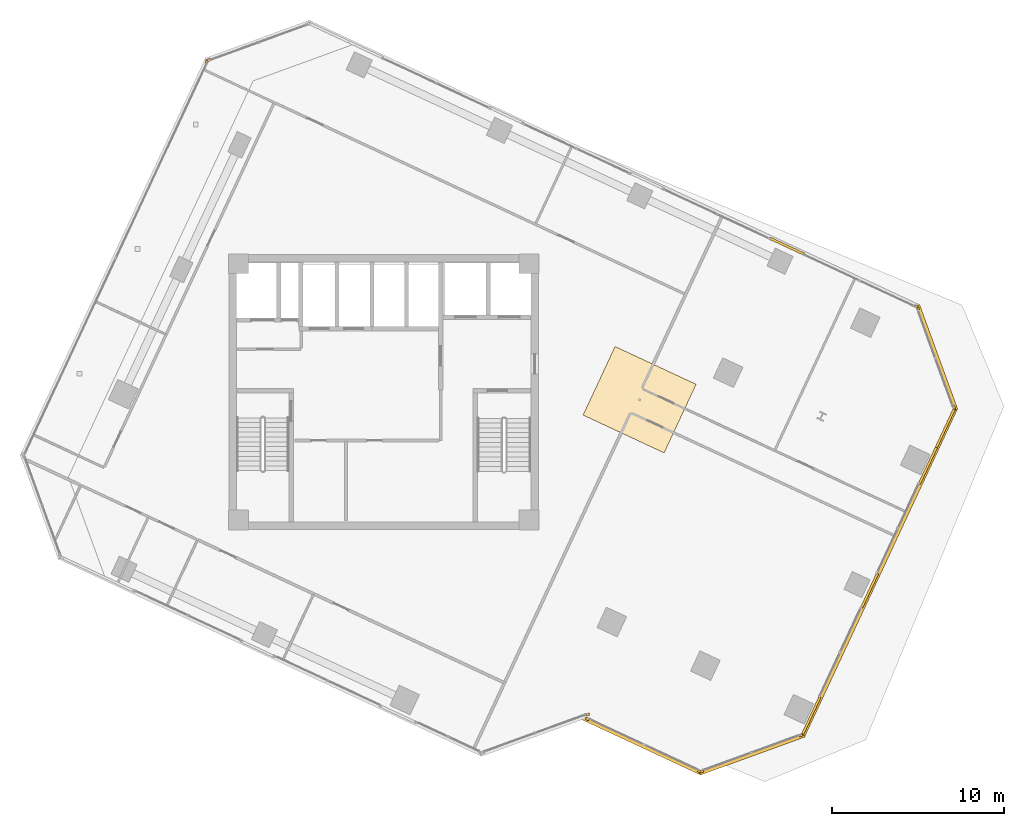
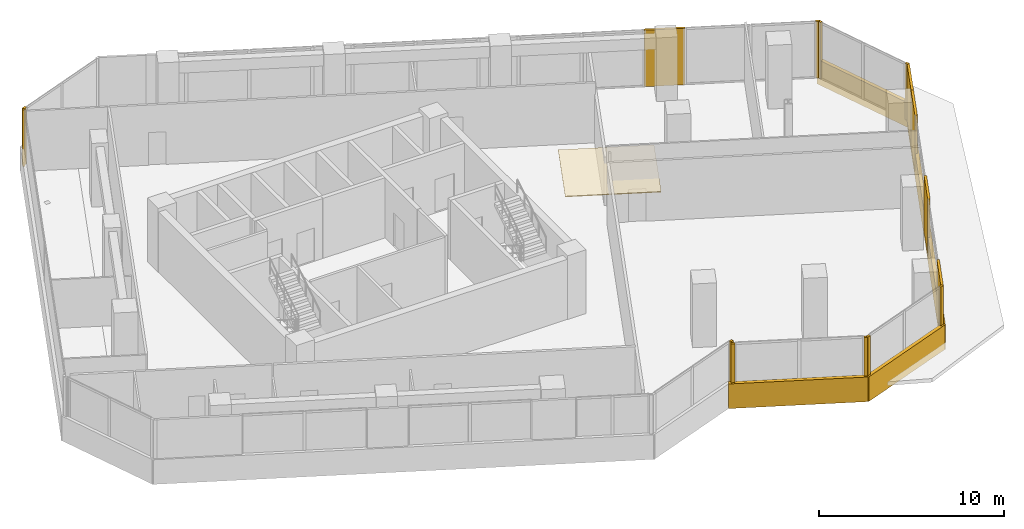
# One storey, part 22 of 23: 20 coverings.
"""IFC4 building model written with IfcOpenShell, lengths in metres."""

from ifc_helpers import new_model, si_unit, direction, frame, origin, origin_2d, place, context, subcontext, project, spatial, polyline, rectangle, outline, extrude, source, transform, mapped, material, layer, layer_set, type_object, element, save


model = new_model("IFC4")

# Units and contexts
model_context = context("Model", 3, precision=1e-05, world=origin(), true_north=direction((0.0, 1.0)))
body_context = subcontext(model_context, "Body", "Model", "MODEL_VIEW")
ifc_project = project(units=[si_unit("LENGTHUNIT", "METRE"), si_unit("AREAUNIT", "SQUARE_METRE"), si_unit("VOLUMEUNIT", "CUBIC_METRE"), si_unit("PLANEANGLEUNIT", "RADIAN"), si_unit("MASSUNIT", "GRAM", prefix="KILO")], contexts=[model_context])

# Site, building, storey
site_placement = place(None, origin())
site = spatial("IfcSite", under=ifc_project, at=site_placement, CompositionType="ELEMENT")
building_placement = place(site_placement, origin())
building = spatial("IfcBuilding", under=site, at=building_placement, Name="Torre Montelarca", CompositionType="ELEMENT")
storey_placement = place(building_placement, frame((0.0, 0.0, 154.0)))
storey = spatial("IfcBuildingStorey", under=building, at=storey_placement, Name="L34", CompositionType="ELEMENT", Elevation=154.0)

# Coverings
ifc_material_1 = material(Name="Micro-perforated walnut timber acoustic slat", Category="wood")
ifc_layer_1 = layer(ifc_material_1, 0.050048828125, Name="Micro-perforated walnut timber acoustic slat", Category="wood")
ifc_layer_set_1 = layer_set([ifc_layer_1], Name="Micro-perforated walnut timber acoustic slat")
covering_type_1 = type_object("IfcCoveringType", Name="COV-CEIL-WD2", PredefinedType="CEILING", material=ifc_layer_set_1)
covering_1_placement = place(storey_placement, frame((0.0, 0.0, 2.719970703125)))
element("IfcCovering", 1, at=covering_1_placement, inside=storey, type_object=covering_type_1, Name="L34 Acoustic Suspended Ceiling 01", PredefinedType="CEILING", context=body_context, shape_type="SweptSolid", body=[
    extrude(outline(polyline([(29.589599609375, 30.6552734375), (34.302490234375, 28.45751953125), (36.161865234375, 32.4453125), (31.44921875, 34.642822265625), (29.589599609375, 30.6552734375)])), origin(), (0.0, 0.0, 1.0), 0.050048828125),
])
ifc_material_2 = material(Name="Bush-hammered warm white precast concrete C45/55", Category="concrete")
ifc_layer_2 = layer(ifc_material_2, 0.139892578125, Name="Bush-hammered warm white precast concrete C45/55", Category="concrete")
ifc_layer_set_2 = layer_set([ifc_layer_2], Name="Bush-hammered warm white precast concrete C45/55")
covering_type_2 = type_object("IfcCoveringType", Name="COV-TRAY-CLAD", PredefinedType="CLADDING", material=ifc_layer_set_2)
shared_shape_1 = source(origin(), body_context, "Body", "SweptSolid", [
    extrude(rectangle(XDim=6.48388671875, YDim=0.219970703125, at=origin_2d()), origin(), (0.0, 0.0, 1.0), 1.6201171875),
])
for number, where, z_axis, x_axis, name in (
    (2, (39.402099609375, 10.931396484375, -0.449951171875), (0.0, 0.0, 1.0), (0.939693217722, 0.342018503252, 0.0), "L34 Architectural White Spandrel Tray Band TRYBOT-05"),
    (3, (50.160888671875, 34.00390625, -0.449951171875), (0.0, 0.0, 1.0), (-0.34202342347, 0.939691426905, 0.0), "L34 Architectural White Spandrel Tray Band TRYBOT-07"),
):
    element("IfcCovering", number, at=place(storey_placement, frame(where, z_axis=z_axis, x_axis=x_axis)), inside=storey, type_object=covering_type_2, Name=name, PredefinedType="CLADDING", context=body_context, shape_type="MappedRepresentation", body=[
        mapped(shared_shape_1, transform((0.0, 0.0, 0.0), scale=1.0)),
    ])
shared_shape_2 = source(origin(), body_context, "Body", "SweptSolid", [
    extrude(rectangle(XDim=21.1201171875, YDim=0.219970703125, at=origin_2d()), origin(), (0.0, 0.0, 1.0), 1.6201171875),
])
covering_2_placement = place(storey_placement, frame((46.812744140625, 21.5205078125, -0.449951171875), z_axis=(0.0, 0.0, 1.0), x_axis=(0.422618261741, 0.906307787037, 0.0)))
element("IfcCovering", 4, at=covering_2_placement, inside=storey, type_object=covering_type_2, Name="L34 Architectural White Spandrel Tray Band TRYBOT-06", PredefinedType="CLADDING", context=body_context, shape_type="MappedRepresentation", body=[
    mapped(shared_shape_2, transform((0.0, 0.0, 0.0), scale=1.0)),
])
shared_shape_3 = source(origin(), body_context, "Body", "SweptSolid", [
    extrude(rectangle(XDim=0.199951171875, YDim=0.139892578125, at=origin_2d()), origin(), (0.0, 0.0, 1.0), 3.719970703125),
])
for number, where, z_axis, x_axis, name in (
    (5, (29.873291015625, 13.24609375, 0.0), (0.0, 0.0, 1.0), (0.939695008514, 0.342013583025, 0.0), "L34 Architectural Column Pier Cladding E02-2"),
    (6, (29.837158203125, 12.985107421875, 0.0), (0.0, 0.0, 1.0), (0.906309262247, -0.422615098127, 0.0), "L34 Architectural Column Pier Cladding E04-1"),
    (7, (36.355224609375, 9.945556640625, 0.0), (0.0, 0.0, 1.0), (0.906309262247, -0.422615098127, 0.0), "L34 Architectural Column Pier Cladding E04-2"),
    (8, (36.50048828125, 9.939208984375, 0.0), (0.0, 0.0, 1.0), (0.939695605439, 0.342011942948, 0.0), "L34 Architectural Column Pier Cladding E05-1"),
    (9, (42.2626953125, 12.03662109375, 0.0), (0.0, 0.0, 1.0), (0.939695605439, 0.342011942948, 0.0), "L34 Architectural Column Pier Cladding E05-2"),
    (10, (51.1533203125, 31.102294921875, 0.0), (0.0, 0.0, 1.0), (-0.342016863178, 0.939693814656, 0.0), "L34 Architectural Column Pier Cladding E07-1"),
    (11, (49.055908203125, 36.864501953125, 0.0), (0.0, 0.0, 1.0), (-0.342016863178, 0.939693814656, 0.0), "L34 Architectural Column Pier Cladding E07-2"),
    (12, (48.9580078125, 36.9716796875, 0.0), (0.0, 0.0, 1.0), (-0.906307787037, 0.422618261741, 0.0), "L34 Architectural Column Pier Cladding E08-1"),
    (13, (7.82373046875, 51.30712890625, 0.0), (0.0, 0.0, 1.0), (-0.939693814656, -0.342016863178, 0.0), "L34 Architectural Column Pier Cladding E09-2"),
    (14, (7.716796875, 51.208984375, 0.0), (0.0, 0.0, 1.0), (-0.422618261741, -0.906307787037, 0.0), "L34 Architectural Column Pier Cladding E10-1"),
):
    element("IfcCovering", number, at=place(storey_placement, frame(where, z_axis=z_axis, x_axis=x_axis)), inside=storey, type_object=covering_type_2, Name=name, PredefinedType="CLADDING", context=body_context, shape_type="MappedRepresentation", body=[
        mapped(shared_shape_3, transform((0.0, 0.0, 0.0), scale=1.0)),
    ])
shared_shape_4 = source(origin(), body_context, "Body", "SweptSolid", [
    extrude(rectangle(XDim=2.360107421875, YDim=0.139892578125, at=origin_2d()), origin(), (0.0, 0.0, 1.0), 3.719970703125),
])
covering_3_placement = place(storey_placement, frame((49.632080078125, 27.708740234375, 0.0), z_axis=(0.0, 0.0, 1.0), x_axis=(0.422616679935, 0.906308524643, 0.0)))
element("IfcCovering", 15, at=covering_3_placement, inside=storey, type_object=covering_type_2, Name="L34 Architectural Column Pier Cladding E06-3", PredefinedType="CLADDING", context=body_context, shape_type="MappedRepresentation", body=[
    mapped(shared_shape_4, transform((0.0, 0.0, 0.0), scale=1.0)),
])
shared_shape_5 = source(origin(), body_context, "Body", "SweptSolid", [
    extrude(rectangle(XDim=2.60400390625, YDim=0.139892578125, at=origin_2d()), origin(), (0.0, 0.0, 1.0), 3.719970703125),
])
covering_4_placement = place(storey_placement, frame((50.638916015625, 29.86767578125, 0.0), z_axis=(0.0, 0.0, 1.0), x_axis=(0.422616679935, 0.906308524643, 0.0)))
element("IfcCovering", 16, at=covering_4_placement, inside=storey, type_object=covering_type_2, Name="L34 Architectural Column Pier Cladding E06-4", PredefinedType="CLADDING", context=body_context, shape_type="MappedRepresentation", body=[
    mapped(shared_shape_5, transform((0.0, 0.0, 0.0), scale=1.0)),
])
shared_shape_6 = source(origin(), body_context, "Body", "SweptSolid", [
    extrude(rectangle(XDim=7.6201171875, YDim=0.219970703125, at=origin_2d()), origin(), (0.0, 0.0, 1.0), 1.6201171875),
])
covering_5_placement = place(storey_placement, frame((33.036376953125, 11.427001953125, -0.449951171875), z_axis=(0.0, 0.0, 1.0), x_axis=(0.906309262247, -0.422615098127, 0.0)))
element("IfcCovering", 17, at=covering_5_placement, inside=storey, type_object=covering_type_2, Name="L34 Architectural White Spandrel Tray Band TRYBOT-04", PredefinedType="CLADDING", context=body_context, shape_type="MappedRepresentation", body=[
    mapped(shared_shape_6, transform((0.0, 0.0, 0.0), scale=1.0)),
])
shared_shape_7 = source(origin(), body_context, "Body", "SweptSolid", [
    extrude(rectangle(XDim=2.464111328125, YDim=0.139892578125, at=origin_2d()), origin(), (0.0, 0.0, 1.0), 3.719970703125),
])
covering_6_placement = place(storey_placement, frame((42.848388671875, 13.16064453125, 0.0), z_axis=(0.0, 0.0, 1.0), x_axis=(0.422616679935, 0.906308524643, 0.0)))
element("IfcCovering", 18, at=covering_6_placement, inside=storey, type_object=covering_type_2, Name="L34 Architectural Column Pier Cladding E06-1", PredefinedType="CLADDING", context=body_context, shape_type="MappedRepresentation", body=[
    mapped(shared_shape_7, transform((0.0, 0.0, 0.0), scale=1.0)),
])
shared_shape_8 = source(origin(), body_context, "Body", "SweptSolid", [
    extrude(rectangle(XDim=2.2099609375, YDim=0.139892578125, at=origin_2d()), origin(), (0.0, 0.0, 1.0), 3.719970703125),
])
for number, where, z_axis, x_axis, name in (
    (19, (46.251220703125, 20.458251953125, 0.0), (0.0, 0.0, 1.0), (0.422616679935, 0.906308524643, 0.0), "L34 Architectural Column Pier Cladding E06-2"),
    (20, (41.44970703125, 40.47265625, 0.0), (0.0, 0.0, 1.0), (-0.906307787037, 0.422618261741, 0.0), "L34 Architectural Column Pier Cladding E08-2"),
):
    element("IfcCovering", number, at=place(storey_placement, frame(where, z_axis=z_axis, x_axis=x_axis)), inside=storey, type_object=covering_type_2, Name=name, PredefinedType="CLADDING", context=body_context, shape_type="MappedRepresentation", body=[
        mapped(shared_shape_8, transform((0.0, 0.0, 0.0), scale=1.0)),
    ])

save(model, "model.ifc")
